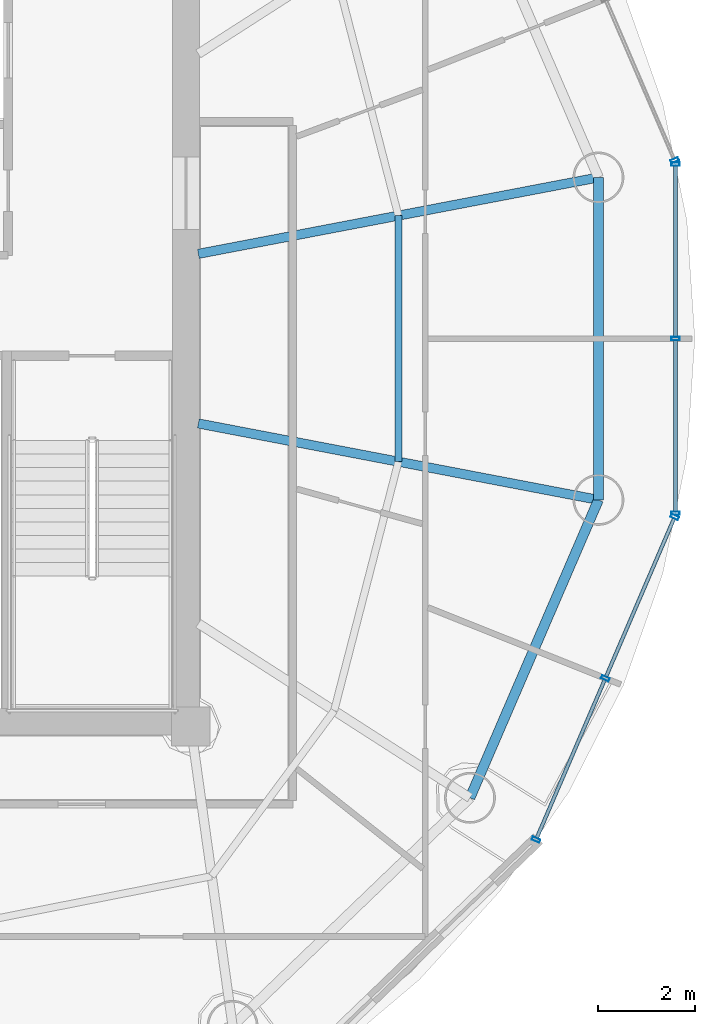
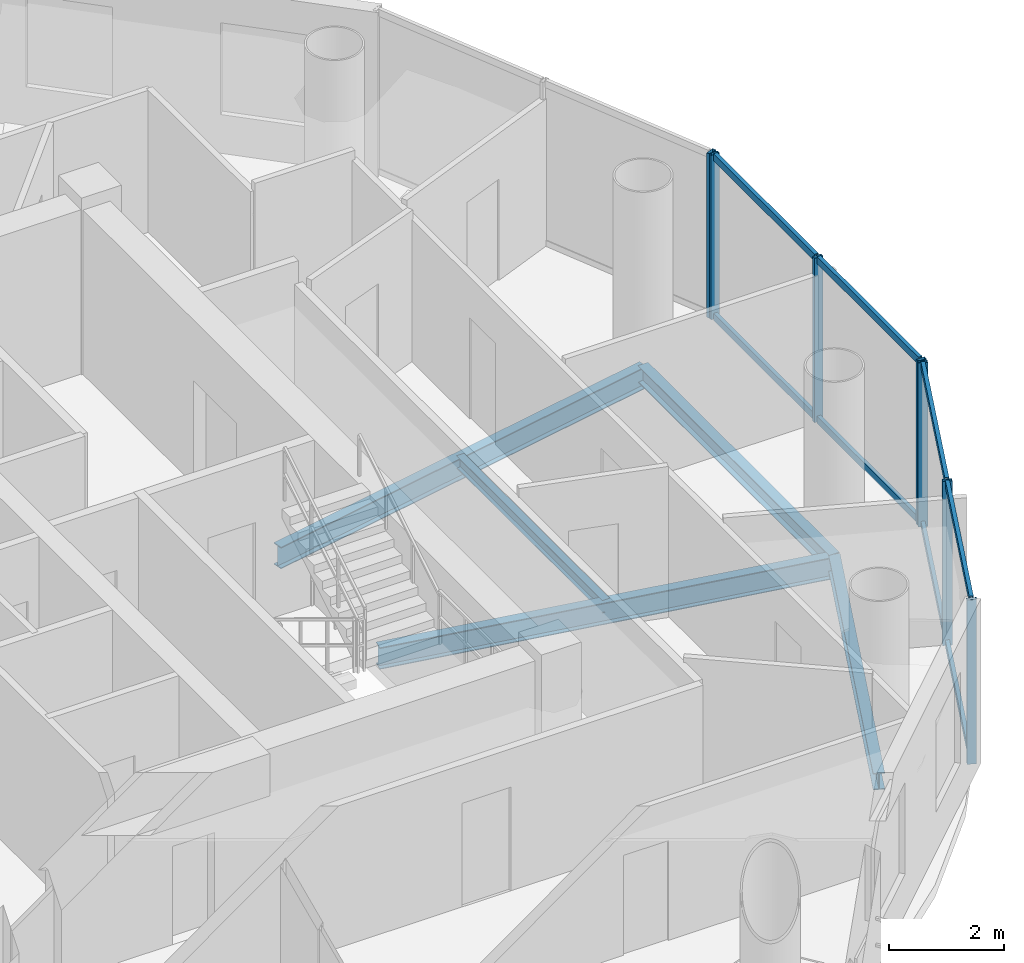
# One storey, part 10 of 22: 15 members, 5 beams, 3 elements without a shape of their own.
"""IFC4 building model written with IfcOpenShell, lengths in metres."""

from ifc_helpers import new_model, si_unit, direction, frame, origin, origin_2d, place, context, subcontext, project, spatial, hollow_rectangle, i_section, extrude, source, transform, mapped, material, material_profile, profile_set, type_object, element, aggregate, save


model = new_model("IFC4")

# Units and contexts
model_context = context("Model", 3, precision=1e-05, world=origin(), true_north=direction((-0.2419218956, 0.970295726276)))
body_context = subcontext(model_context, "Body", "Model", "MODEL_VIEW")
ifc_project = project(units=[si_unit("LENGTHUNIT", "METRE"), si_unit("AREAUNIT", "SQUARE_METRE"), si_unit("VOLUMEUNIT", "CUBIC_METRE"), si_unit("PLANEANGLEUNIT", "RADIAN"), si_unit("MASSUNIT", "GRAM", prefix="KILO")], contexts=[model_context])

# Site, building, storey
site_placement = place(None, origin())
site = spatial("IfcSite", under=ifc_project, at=site_placement, CompositionType="ELEMENT")
building_placement = place(site_placement, origin())
building = spatial("IfcBuilding", under=site, at=building_placement, Name="Cobrevalo Terracotta Tower", CompositionType="ELEMENT")
storey_placement = place(building_placement, frame((0.0, 0.0, 289.449951171875)))
storey = spatial("IfcBuildingStorey", under=building, at=storey_placement, Name="L76", CompositionType="ELEMENT", Elevation=289.449951171875)

# Beams
ifc_material_1 = material(Name="Steel S355", Category="steel")
ifc_material_profile_1 = material_profile(ifc_material_1, i_section(OverallWidth=0.19091796875, OverallDepth=0.4599609375, WebThickness=0.010009765625, FlangeThickness=0.01611328125, at=origin_2d()), Name="W 460x82")
ifc_profile_set_1 = profile_set([ifc_material_profile_1], Name="Steel S355")
beam_type_1 = type_object("IfcBeamType", Name="Structural Beam W 460x82 (Steel S355)", PredefinedType="BEAM", material=ifc_profile_set_1)
beam_1_placement = place(storey_placement, frame((55.408935546875, 30.126220703125, -0.489990234375), z_axis=(-0.982234917636, -0.187655446433, 0.0), x_axis=(0.187655446433, -0.982234917636, 0.0)))
element("IfcBeam", 1, at=beam_1_placement, inside=storey, type_object=beam_type_1, Name="L76 radial floor girder 01", PredefinedType="BEAM", context=body_context, shape_type="SweptSolid", body=[
    extrude(i_section(OverallWidth=0.19091796875, OverallDepth=0.4599609375, WebThickness=0.010009765625, FlangeThickness=0.01611328125, at=origin_2d()), origin(), (0.0, 0.0, 1.0), 8.403076171875),
])
beam_2_placement = place(storey_placement, frame((55.408935546875, 23.4736328125, -0.489990234375), z_axis=(-0.982229562106, 0.187683476432, 0.0), x_axis=(-0.187683476432, -0.982229562106, 0.0)))
element("IfcBeam", 2, at=beam_2_placement, inside=storey, type_object=beam_type_1, Name="L76 radial floor girder 16", PredefinedType="BEAM", context=body_context, shape_type="SweptSolid", body=[
    extrude(i_section(OverallWidth=0.19091796875, OverallDepth=0.4599609375, WebThickness=0.010009765625, FlangeThickness=0.01611328125, at=origin_2d()), origin(), (0.0, 0.0, 1.0), 8.4033203125),
])
ifc_material_profile_2 = material_profile(ifc_material_1, i_section(OverallWidth=0.14794921875, OverallDepth=0.26611328125, WebThickness=0.007568359375, FlangeThickness=0.012939453125, at=origin_2d()), Name="W 250x44.8")
ifc_profile_set_2 = profile_set([ifc_material_profile_2], Name="Steel S355")
beam_type_2 = type_object("IfcBeamType", Name="Structural Joist W 250x44.8 (Steel S355)", PredefinedType="JOIST", material=ifc_profile_set_2)
beam_3_placement = place(storey_placement, frame((51.281982421875, 24.26220703125, -0.39306640625), z_axis=(0.0, 1.0, 0.0), x_axis=(-1.0, 0.0, 0.0)))
element("IfcBeam", 3, at=beam_3_placement, inside=storey, type_object=beam_type_2, Name="L76 circumferential secondary floor joist 16", PredefinedType="JOIST", context=body_context, shape_type="SweptSolid", body=[
    extrude(i_section(OverallWidth=0.14794921875, OverallDepth=0.26611328125, WebThickness=0.007568359375, FlangeThickness=0.012939453125, at=origin_2d()), origin(), (0.0, 0.0, 1.0), 5.075439453125),
])
ifc_material_profile_3 = material_profile(ifc_material_1, i_section(OverallWidth=0.205078125, OverallDepth=0.35400390625, WebThickness=0.009521484375, FlangeThickness=0.016845703125, at=origin_2d()), Name="W 360x79")
ifc_profile_set_3 = profile_set([ifc_material_profile_3], Name="Steel S355")
beam_type_3 = type_object("IfcBeamType", Name="Structural Spandrel W 360x79 (Steel S355)", PredefinedType="SPANDREL", material=ifc_profile_set_3)
beam_4_placement = place(storey_placement, frame((52.758544921875, 17.32763671875, -0.43701171875), z_axis=(0.395987390706, 0.918255948198, 0.0), x_axis=(-0.918255948198, 0.395987390706, 0.0)))
element("IfcBeam", 4, at=beam_4_placement, inside=storey, type_object=beam_type_3, Name="L76 perimeter ring spandrel 15", PredefinedType="SPANDREL", context=body_context, shape_type="SweptSolid", body=[
    extrude(i_section(OverallWidth=0.205078125, OverallDepth=0.35400390625, WebThickness=0.009521484375, FlangeThickness=0.016845703125, at=origin_2d()), origin(), (0.0, 0.0, 1.0), 6.693115234375),
])
beam_5_placement = place(storey_placement, frame((55.408935546875, 23.4736328125, -0.43701171875), z_axis=(0.0, 1.0, 0.0), x_axis=(-1.0, 0.0, 0.0)))
element("IfcBeam", 5, at=beam_5_placement, inside=storey, type_object=beam_type_3, Name="L76 perimeter ring spandrel 16", PredefinedType="SPANDREL", context=body_context, shape_type="SweptSolid", body=[
    extrude(i_section(OverallWidth=0.205078125, OverallDepth=0.35400390625, WebThickness=0.009521484375, FlangeThickness=0.016845703125, at=origin_2d()), origin(), (0.0, 0.0, 1.0), 6.652587890625),
])

# Curtain wall, member
ifc_material_2 = material(Name="Anodized aluminium", Category="aluminium")
curtain_wall_type = type_object("IfcCurtainWallType", Name="Upper-tower triple-glazed penthouse curtain wall CW-U3", PredefinedType="NOTDEFINED", material=ifc_material_2)
curtain_wall_1_placement = place(storey_placement, origin())
curtain_wall_1 = element("IfcCurtainWall", 6, at=curtain_wall_1_placement, inside=storey, type_object=curtain_wall_type, Name="L76 curtain wall CW-L76-S01", PredefinedType="NOTDEFINED")
ifc_material_profile_4 = material_profile(ifc_material_2, hollow_rectangle(XDim=0.070068359375, YDim=0.169921875, WallThickness=0.00439453125, at=origin_2d()), Name="CWM 70x170")
ifc_profile_set_4 = profile_set([ifc_material_profile_4], Name="Anodized aluminium")
member_type_1 = type_object("IfcMemberType", Name="Upper tower unitised mullion 70x170", PredefinedType="MULLION", material=ifc_profile_set_4)
shared_shape_1 = source(origin(), body_context, "Body", "SweptSolid", [
    extrude(hollow_rectangle(XDim=0.070068359375, YDim=0.169921875, WallThickness=0.00439453125, at=origin_2d()), origin(), (0.0, 0.0, 1.0), 3.489990234375),
])
member_1_placement = place(storey_placement, frame((56.98193359375, 30.47900390625, 0.0), z_axis=(0.0, 0.0, 1.0), x_axis=(-0.39482403454, 0.91875675875, 0.0)))
member_1 = element("IfcMember", 7, at=member_1_placement, type_object=member_type_1, Name="CW-L76-S01 vertical mullion 01", PredefinedType="MULLION", context=body_context, shape_type="MappedRepresentation", body=[
    mapped(shared_shape_1, transform((0.0, 0.0, 0.0), scale=1.0)),
])
aggregate(curtain_wall_1, [member_1])

# Curtain wall, members
curtain_wall_2_placement = place(storey_placement, origin())
curtain_wall_2 = element("IfcCurtainWall", 8, at=curtain_wall_2_placement, inside=storey, type_object=curtain_wall_type, Name="L76 curtain wall CW-L76-S15", PredefinedType="NOTDEFINED")
member_2_placement = place(storey_placement, frame((54.121337890625, 16.46435546875, 0.0), z_axis=(0.0, 0.0, 1.0), x_axis=(0.39482403454, 0.91875675875, 0.0)))
member_2 = element("IfcMember", 9, at=member_2_placement, type_object=member_type_1, Name="CW-L76-S15 vertical mullion 01", PredefinedType="MULLION", context=body_context, shape_type="MappedRepresentation", body=[
    mapped(shared_shape_1, transform((0.0, 0.0, 0.0), scale=1.0)),
])
member_3_placement = place(storey_placement, frame((55.5517578125, 19.79248046875, 0.0), z_axis=(0.0, 0.0, 1.0), x_axis=(0.39482403454, 0.91875675875, 0.0)))
member_3 = element("IfcMember", 10, at=member_3_placement, type_object=member_type_1, Name="CW-L76-S15 vertical mullion 02", PredefinedType="MULLION", context=body_context, shape_type="MappedRepresentation", body=[
    mapped(shared_shape_1, transform((0.0, 0.0, 0.0), scale=1.0)),
])
member_4_placement = place(storey_placement, frame((56.98193359375, 23.120849609375, 0.0), z_axis=(0.0, 0.0, 1.0), x_axis=(0.39482403454, 0.91875675875, 0.0)))
member_4 = element("IfcMember", 11, at=member_4_placement, type_object=member_type_1, Name="CW-L76-S15 vertical mullion 03", PredefinedType="MULLION", context=body_context, shape_type="MappedRepresentation", body=[
    mapped(shared_shape_1, transform((0.0, 0.0, 0.0), scale=1.0)),
])

curtain_wall_3_placement = place(storey_placement, origin())
curtain_wall_3 = element("IfcCurtainWall", 12, at=curtain_wall_3_placement, inside=storey, type_object=curtain_wall_type, Name="L76 curtain wall CW-L76-S16", PredefinedType="NOTDEFINED")
member_5_placement = place(storey_placement, frame((56.997802734375, 23.19775390625, 0.0), z_axis=(0.0, 0.0, 1.0), x_axis=(0.0, 1.0, 0.0)))
member_5 = element("IfcMember", 13, at=member_5_placement, type_object=member_type_1, Name="CW-L76-S16 vertical mullion 01", PredefinedType="MULLION", context=body_context, shape_type="MappedRepresentation", body=[
    mapped(shared_shape_1, transform((0.0, 0.0, 0.0), scale=1.0)),
])
member_6_placement = place(storey_placement, frame((56.997802734375, 26.800048828125, 0.0), z_axis=(0.0, 0.0, 1.0), x_axis=(0.0, 1.0, 0.0)))
member_6 = element("IfcMember", 14, at=member_6_placement, type_object=member_type_1, Name="CW-L76-S16 vertical mullion 02", PredefinedType="MULLION", context=body_context, shape_type="MappedRepresentation", body=[
    mapped(shared_shape_1, transform((0.0, 0.0, 0.0), scale=1.0)),
])
member_7_placement = place(storey_placement, frame((56.997802734375, 30.40234375, 0.0), z_axis=(0.0, 0.0, 1.0), x_axis=(0.0, 1.0, 0.0)))
member_7 = element("IfcMember", 15, at=member_7_placement, type_object=member_type_1, Name="CW-L76-S16 vertical mullion 03", PredefinedType="MULLION", context=body_context, shape_type="MappedRepresentation", body=[
    mapped(shared_shape_1, transform((0.0, 0.0, 0.0), scale=1.0)),
])

# Member
ifc_material_profile_5 = material_profile(ifc_material_2, hollow_rectangle(XDim=0.074951171875, YDim=0.14990234375, WallThickness=0.00439453125, at=origin_2d()), Name="CWT 75x150")
ifc_profile_set_5 = profile_set([ifc_material_profile_5], Name="Anodized aluminium")
member_type_2 = type_object("IfcMemberType", Name="Tower unitised aluminium transom 75x150", PredefinedType="USERDEFINED", material=ifc_profile_set_5)
shared_shape_2 = source(origin(), body_context, "Body", "SweptSolid", [
    extrude(hollow_rectangle(XDim=0.074951171875, YDim=0.14990234375, WallThickness=0.00439453125, at=origin_2d()), origin(), (0.0, 0.0, 1.0), 3.542724609375),
])
member_8_placement = place(storey_placement, frame((54.13720703125, 16.5009765625, 0.050048828125), z_axis=(0.394809056766, 0.918763195114, 0.0), x_axis=(-0.918763195114, 0.394809056766, 0.0)))
member_8 = element("IfcMember", 16, at=member_8_placement, type_object=member_type_2, Name="CW-L76-S15 transom B01-T1", ObjectType="TRANSOM", PredefinedType="USERDEFINED", context=body_context, shape_type="MappedRepresentation", body=[
    mapped(shared_shape_2, transform((0.0, 0.0, 0.0), scale=1.0)),
])

member_9_placement = place(storey_placement, frame((54.13720703125, 16.5009765625, 3.43994140625), z_axis=(0.394809056766, 0.918763195114, 0.0), x_axis=(-0.918763195114, 0.394809056766, 0.0)))
member_9 = element("IfcMember", 17, at=member_9_placement, type_object=member_type_2, Name="CW-L76-S15 transom B01-T2", ObjectType="TRANSOM", PredefinedType="USERDEFINED", context=body_context, shape_type="MappedRepresentation", body=[
    mapped(shared_shape_2, transform((0.0, 0.0, 0.0), scale=1.0)),
])

member_10_placement = place(storey_placement, frame((55.5673828125, 19.829345703125, 0.050048828125), z_axis=(0.394867226589, 0.918738196314, 0.0), x_axis=(-0.918738196314, 0.394867226589, 0.0)))
member_10 = element("IfcMember", 18, at=member_10_placement, type_object=member_type_2, Name="CW-L76-S15 transom B02-T1", ObjectType="TRANSOM", PredefinedType="USERDEFINED", context=body_context, shape_type="MappedRepresentation", body=[
    mapped(shared_shape_2, transform((0.0, 0.0, 0.0), scale=1.0)),
])

member_11_placement = place(storey_placement, frame((55.5673828125, 19.829345703125, 3.43994140625), z_axis=(0.394867226589, 0.918738196314, 0.0), x_axis=(-0.918738196314, 0.394867226589, 0.0)))
member_11 = element("IfcMember", 19, at=member_11_placement, type_object=member_type_2, Name="CW-L76-S15 transom B02-T2", ObjectType="TRANSOM", PredefinedType="USERDEFINED", context=body_context, shape_type="MappedRepresentation", body=[
    mapped(shared_shape_2, transform((0.0, 0.0, 0.0), scale=1.0)),
])

aggregate(curtain_wall_2, [member_2, member_3, member_4, member_8, member_9, member_10, member_11])

shared_shape_3 = source(origin(), body_context, "Body", "SweptSolid", [
    extrude(hollow_rectangle(XDim=0.074951171875, YDim=0.14990234375, WallThickness=0.00439453125, at=origin_2d()), origin(), (0.0, 0.0, 1.0), 3.522216796875),
])
member_12_placement = place(storey_placement, frame((56.997802734375, 26.840087890625, 0.050048828125), z_axis=(0.0, 1.0, 0.0), x_axis=(-1.0, 0.0, 0.0)))
member_12 = element("IfcMember", 20, at=member_12_placement, type_object=member_type_2, Name="CW-L76-S16 transom B02-T1", ObjectType="TRANSOM", PredefinedType="USERDEFINED", context=body_context, shape_type="MappedRepresentation", body=[
    mapped(shared_shape_3, transform((0.0, 0.0, 0.0), scale=1.0)),
])

member_13_placement = place(storey_placement, frame((56.997802734375, 26.840087890625, 3.43994140625), z_axis=(0.0, 1.0, 0.0), x_axis=(-1.0, 0.0, 0.0)))
member_13 = element("IfcMember", 21, at=member_13_placement, type_object=member_type_2, Name="CW-L76-S16 transom B02-T2", ObjectType="TRANSOM", PredefinedType="USERDEFINED", context=body_context, shape_type="MappedRepresentation", body=[
    mapped(shared_shape_3, transform((0.0, 0.0, 0.0), scale=1.0)),
])

shared_shape_4 = source(origin(), body_context, "Body", "SweptSolid", [
    extrude(hollow_rectangle(XDim=0.074951171875, YDim=0.14990234375, WallThickness=0.00439453125, at=origin_2d()), origin(), (0.0, 0.0, 1.0), 3.5224609375),
])
member_14_placement = place(storey_placement, frame((56.997802734375, 23.237548828125, 0.050048828125), z_axis=(0.0, 1.0, 0.0), x_axis=(-1.0, 0.0, 0.0)))
member_14 = element("IfcMember", 22, at=member_14_placement, type_object=member_type_2, Name="CW-L76-S16 transom B01-T1", ObjectType="TRANSOM", PredefinedType="USERDEFINED", context=body_context, shape_type="MappedRepresentation", body=[
    mapped(shared_shape_4, transform((0.0, 0.0, 0.0), scale=1.0)),
])

member_15_placement = place(storey_placement, frame((56.997802734375, 23.237548828125, 3.43994140625), z_axis=(0.0, 1.0, 0.0), x_axis=(-1.0, 0.0, 0.0)))
member_15 = element("IfcMember", 23, at=member_15_placement, type_object=member_type_2, Name="CW-L76-S16 transom B01-T2", ObjectType="TRANSOM", PredefinedType="USERDEFINED", context=body_context, shape_type="MappedRepresentation", body=[
    mapped(shared_shape_4, transform((0.0, 0.0, 0.0), scale=1.0)),
])

aggregate(curtain_wall_3, [member_5, member_6, member_7, member_14, member_15, member_12, member_13])

save(model, "model.ifc")
